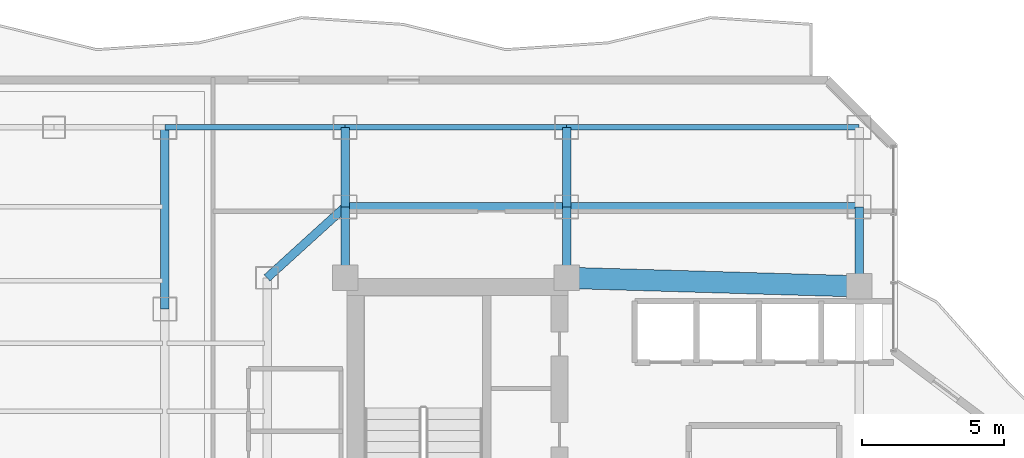
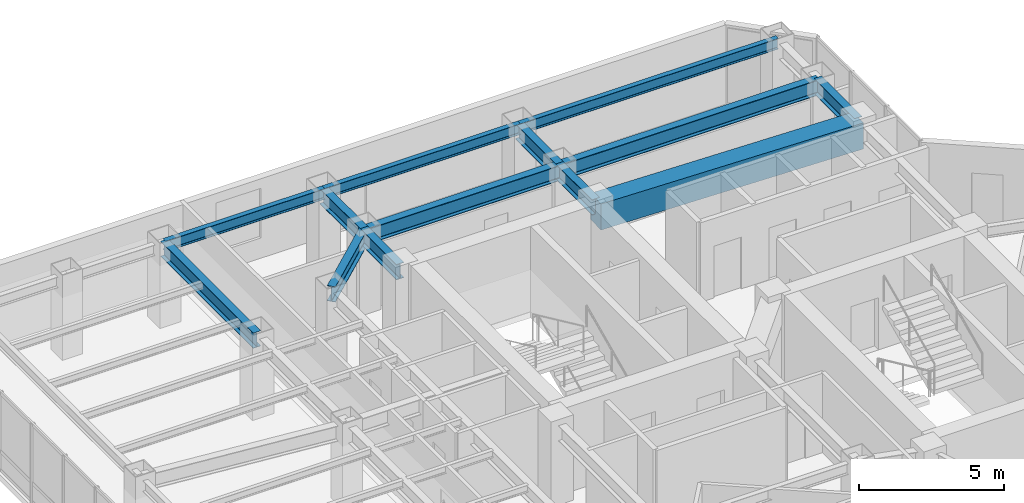
# One storey, part 18 of 26: 13 beams.
"""IFC4 building model written with IfcOpenShell, lengths in metres."""

from ifc_helpers import new_model, si_unit, direction, frame, origin, origin_2d, place, context, subcontext, project, spatial, rectangle, i_section, extrude, material, material_profile, profile_set, type_object, element, save


model = new_model("IFC4")

# Units and contexts
model_context = context("Model", 3, precision=1e-05, world=origin(), true_north=direction((0.0, 1.0)))
body_context = subcontext(model_context, "Body", "Model", "MODEL_VIEW")
ifc_project = project(units=[si_unit("LENGTHUNIT", "METRE"), si_unit("AREAUNIT", "SQUARE_METRE"), si_unit("VOLUMEUNIT", "CUBIC_METRE"), si_unit("PLANEANGLEUNIT", "RADIAN"), si_unit("MASSUNIT", "GRAM", prefix="KILO")], contexts=[model_context])

# Site, building, storey
site_placement = place(None, origin())
site = spatial("IfcSite", under=ifc_project, at=site_placement, CompositionType="ELEMENT")
building_placement = place(site_placement, origin())
building = spatial("IfcBuilding", under=site, at=building_placement, Name="Hatsunagi Terrace Concourse", CompositionType="ELEMENT")
storey_placement = place(building_placement, frame((0.0, 0.0, 134.85009765625)))
storey = spatial("IfcBuildingStorey", under=building, at=storey_placement, Name="L35", CompositionType="ELEMENT", Elevation=134.85009765625)

# Beams
ifc_material_1 = material(Name="Concrete Fc48", Category="concrete")
ifc_material_profile_1 = material_profile(ifc_material_1, rectangle(XDim=0.75, YDim=1.10009765625, at=origin_2d()), Name="RC-750x1100")
ifc_profile_set_1 = profile_set([ifc_material_profile_1], Name="Concrete Fc48")
beam_type_1 = type_object("IfcBeamType", Name="CoreCouplingBeam_RC_750x1100", PredefinedType="BEAM", material=ifc_profile_set_1)
beam_1_placement = place(storey_placement, frame((33.35009765625, 43.300048828125, 2.7998046875), z_axis=(0.999575947545, -0.029119153303, 0.0), x_axis=(0.029119153303, 0.999575947545, 0.0)))
element("IfcBeam", 1, at=beam_1_placement, inside=storey, type_object=beam_type_1, Name="Beam CB-02 CB-L35-2", PredefinedType="BEAM", context=body_context, shape_type="SweptSolid", body=[
    extrude(rectangle(XDim=0.75, YDim=1.10009765625, at=origin_2d()), origin(), (0.0, 0.0, 1.0), 10.30419921875),
])
ifc_material_2 = material(Name="Steel SN490B", Category="steel")
ifc_material_profile_2 = material_profile(ifc_material_2, i_section(OverallWidth=0.300048828125, OverallDepth=0.64990234375, WebThickness=0.012939453125, FlangeThickness=0.02197265625, FilletRadius=0.01806640625, at=origin_2d()), Name="H-650x300x13x22")
ifc_profile_set_2 = profile_set([ifc_material_profile_2], Name="Steel SN490B")
beam_type_2 = type_object("IfcBeamType", Name="OfficeLowGirder_H_650x300", PredefinedType="BEAM", material=ifc_profile_set_2)
for number, where, z_axis, x_axis, name in (
    (2, (25.550048828125, 43.300048828125, 3.02490234375), (0.0, 1.0, 0.0), (-1.0, 0.0, 0.0), "Beam G-05 BM-L35-CN1"),
    (3, (33.35009765625, 43.300048828125, 3.02490234375), (0.0, 1.0, 0.0), (-1.0, 0.0, 0.0), "Beam G-05 BM-L35-CN2"),
):
    element("IfcBeam", number, at=place(storey_placement, frame(where, z_axis=z_axis, x_axis=x_axis)), inside=storey, type_object=beam_type_2, Name=name, PredefinedType="BEAM", context=body_context, shape_type="SweptSolid", body=[
        extrude(i_section(OverallWidth=0.300048828125, OverallDepth=0.64990234375, WebThickness=0.012939453125, FlangeThickness=0.02197265625, FilletRadius=0.01806640625, at=origin_2d()), origin(), (0.0, 0.0, 1.0), 2.5),
    ])
beam_2_placement = place(storey_placement, frame((43.64990234375, 43.0, 3.02490234375), z_axis=(0.0, 1.0, 0.0), x_axis=(-1.0, 0.0, 0.0)))
element("IfcBeam", 4, at=beam_2_placement, inside=storey, type_object=beam_type_2, Name="Beam G-05 BM-L35-CN3", PredefinedType="BEAM", context=body_context, shape_type="SweptSolid", body=[
    extrude(i_section(OverallWidth=0.300048828125, OverallDepth=0.64990234375, WebThickness=0.012939453125, FlangeThickness=0.02197265625, FilletRadius=0.01806640625, at=origin_2d()), origin(), (0.0, 0.0, 1.0), 2.800048828125),
])
beam_3_placement = place(storey_placement, frame((25.550048828125, 45.800048828125, 3.02490234375), z_axis=(1.0, 0.0, 0.0), x_axis=(0.0, 1.0, 0.0)))
element("IfcBeam", 5, at=beam_3_placement, inside=storey, type_object=beam_type_2, Name="Beam G-05 BM-L35-CNEW1", PredefinedType="BEAM", context=body_context, shape_type="SweptSolid", body=[
    extrude(i_section(OverallWidth=0.300048828125, OverallDepth=0.64990234375, WebThickness=0.012939453125, FlangeThickness=0.02197265625, FilletRadius=0.01806640625, at=origin_2d()), origin(), (0.0, 0.0, 1.0), 7.800048828125),
])
beam_4_placement = place(storey_placement, frame((33.35009765625, 45.800048828125, 3.02490234375), z_axis=(1.0, 0.0, 0.0), x_axis=(0.0, 1.0, 0.0)))
element("IfcBeam", 6, at=beam_4_placement, inside=storey, type_object=beam_type_2, Name="Beam G-05 BM-L35-CNEW2", PredefinedType="BEAM", context=body_context, shape_type="SweptSolid", body=[
    extrude(i_section(OverallWidth=0.300048828125, OverallDepth=0.64990234375, WebThickness=0.012939453125, FlangeThickness=0.02197265625, FilletRadius=0.01806640625, at=origin_2d()), origin(), (0.0, 0.0, 1.0), 10.2998046875),
])
for number, where, z_axis, x_axis, name in (
    (7, (25.550048828125, 45.800048828125, 3.02490234375), (0.0, 1.0, 0.0), (-1.0, 0.0, 0.0), "Beam G-05 BM-L35-KN-WN4"),
    (8, (33.35009765625, 45.800048828125, 3.02490234375), (0.0, 1.0, 0.0), (-1.0, 0.0, 0.0), "Beam G-05 BM-L35-KN-WN5"),
):
    element("IfcBeam", number, at=place(storey_placement, frame(where, z_axis=z_axis, x_axis=x_axis)), inside=storey, type_object=beam_type_2, Name=name, PredefinedType="BEAM", context=body_context, shape_type="SweptSolid", body=[
        extrude(i_section(OverallWidth=0.300048828125, OverallDepth=0.64990234375, WebThickness=0.012939453125, FlangeThickness=0.02197265625, FilletRadius=0.01806640625, at=origin_2d()), origin(), (0.0, 0.0, 1.0), 2.800048828125),
    ])
beam_5_placement = place(storey_placement, frame((22.800048828125, 43.300048828125, 3.02490234375), z_axis=(0.739940073396, 0.672672793996, 0.0), x_axis=(-0.672672793996, 0.739940073396, 0.0)))
element("IfcBeam", 9, at=beam_5_placement, inside=storey, type_object=beam_type_2, Name="Beam G-05 BM-L35-CWEW-N", PredefinedType="BEAM", context=body_context, shape_type="SweptSolid", body=[
    extrude(i_section(OverallWidth=0.300048828125, OverallDepth=0.64990234375, WebThickness=0.012939453125, FlangeThickness=0.02197265625, FilletRadius=0.01806640625, at=origin_2d()), origin(), (0.0, 0.0, 1.0), 3.716552734375),
])
beam_6_placement = place(storey_placement, frame((19.199951171875, 42.199951171875, 3.02490234375), z_axis=(0.0, 1.0, 0.0), x_axis=(-1.0, 0.0, 0.0)))
element("IfcBeam", 10, at=beam_6_placement, inside=storey, type_object=beam_type_2, Name="Beam G-05 BM-L35-NS-19-42", PredefinedType="BEAM", context=body_context, shape_type="SweptSolid", body=[
    extrude(i_section(OverallWidth=0.300048828125, OverallDepth=0.64990234375, WebThickness=0.012939453125, FlangeThickness=0.02197265625, FilletRadius=0.01806640625, at=origin_2d()), origin(), (0.0, 0.0, 1.0), 6.400146484375),
])
ifc_material_3 = material(Name="Steel SN490B", Category="steel")
ifc_material_profile_3 = material_profile(ifc_material_3, i_section(OverallWidth=0.199951171875, OverallDepth=0.449951171875, WebThickness=0.009033203125, FlangeThickness=0.013916015625, FilletRadius=0.01611328125, at=origin_2d()), Name="H-450x200x9x14")
ifc_profile_set_3 = profile_set([ifc_material_profile_3], Name="Steel SN490B")
beam_type_3 = type_object("IfcBeamType", Name="PerimeterSpandrel_H_450x200", PredefinedType="SPANDREL", material=ifc_profile_set_3)
beam_7_placement = place(storey_placement, frame((19.199951171875, 48.60009765625, 3.125), z_axis=(1.0, 0.0, 0.0), x_axis=(0.0, 1.0, 0.0)))
element("IfcBeam", 11, at=beam_7_placement, inside=storey, type_object=beam_type_3, Name="Beam SP-02 BM-L35-WN-19", PredefinedType="SPANDREL", context=body_context, shape_type="SweptSolid", body=[
    extrude(i_section(OverallWidth=0.199951171875, OverallDepth=0.449951171875, WebThickness=0.009033203125, FlangeThickness=0.013916015625, FilletRadius=0.01611328125, at=origin_2d()), origin(), (0.0, 0.0, 1.0), 6.35009765625),
])
beam_8_placement = place(storey_placement, frame((25.550048828125, 48.60009765625, 3.125), z_axis=(1.0, 0.0, 0.0), x_axis=(0.0, 1.0, 0.0)))
element("IfcBeam", 12, at=beam_8_placement, inside=storey, type_object=beam_type_3, Name="Beam SP-02 BM-L35-WN-25", PredefinedType="SPANDREL", context=body_context, shape_type="SweptSolid", body=[
    extrude(i_section(OverallWidth=0.199951171875, OverallDepth=0.449951171875, WebThickness=0.009033203125, FlangeThickness=0.013916015625, FilletRadius=0.01611328125, at=origin_2d()), origin(), (0.0, 0.0, 1.0), 7.800048828125),
])
beam_9_placement = place(storey_placement, frame((33.35009765625, 48.60009765625, 3.125), z_axis=(1.0, 0.0, 0.0), x_axis=(0.0, 1.0, 0.0)))
element("IfcBeam", 13, at=beam_9_placement, inside=storey, type_object=beam_type_3, Name="Beam SP-02 BM-L35-WN-33", PredefinedType="SPANDREL", context=body_context, shape_type="SweptSolid", body=[
    extrude(i_section(OverallWidth=0.199951171875, OverallDepth=0.449951171875, WebThickness=0.009033203125, FlangeThickness=0.013916015625, FilletRadius=0.01611328125, at=origin_2d()), origin(), (0.0, 0.0, 1.0), 10.2998046875),
])

save(model, "model.ifc")
